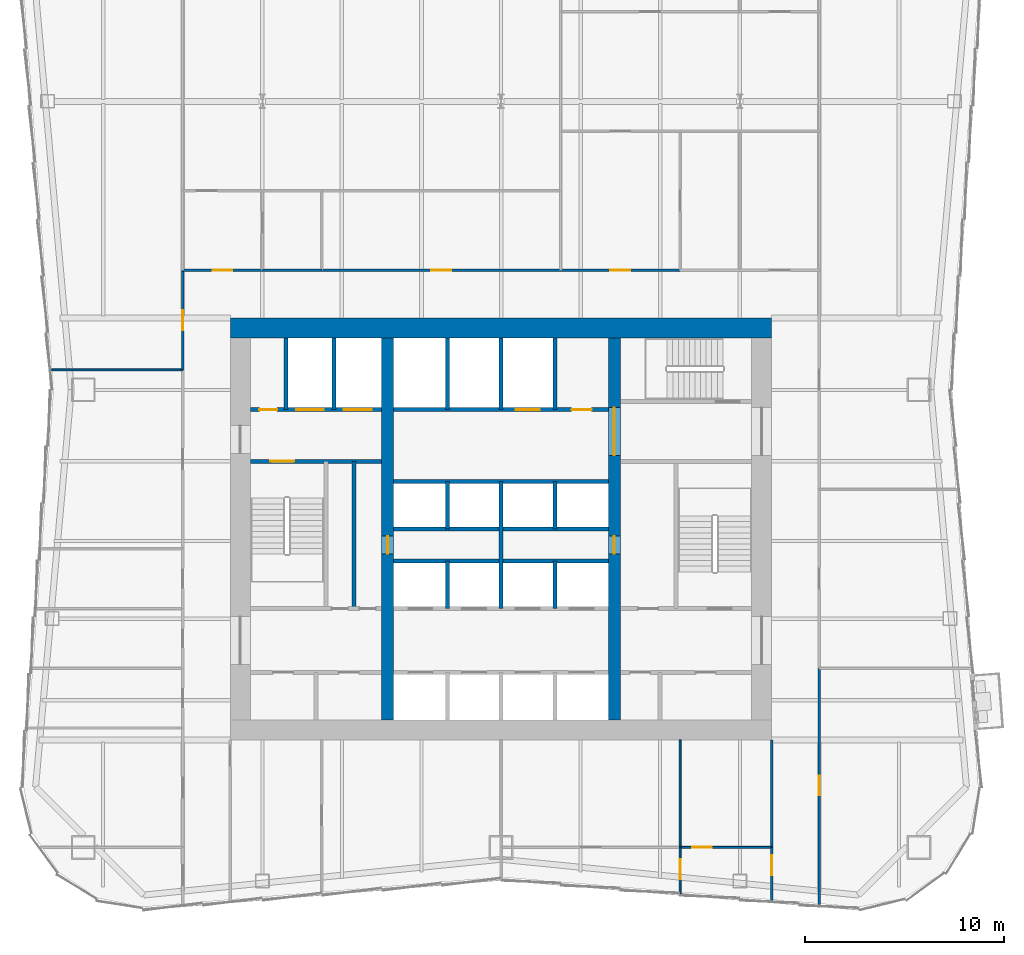
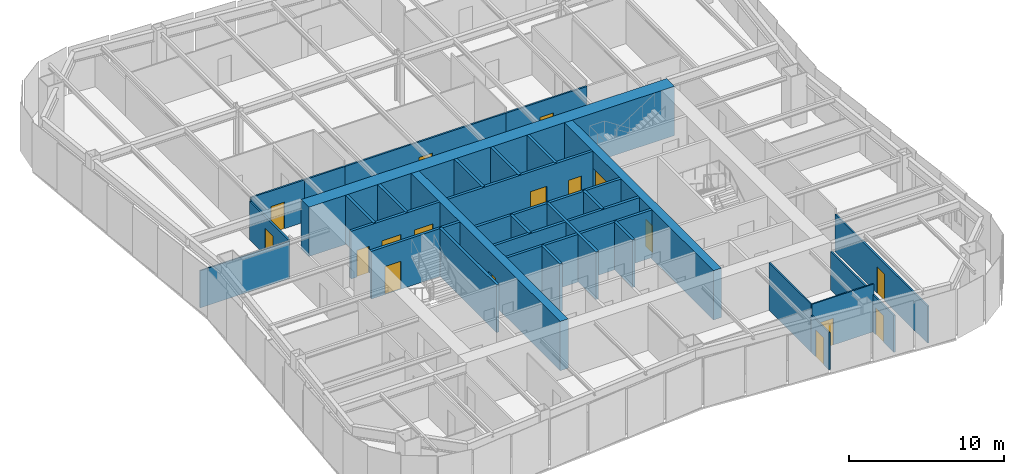
# One storey, part 5 of 9: 32 walls, 17 doors, 17 openings.
"""IFC4 building model written with IfcOpenShell, lengths in metres."""

from ifc_helpers import new_model, si_unit, direction, frame, frame_2d, origin, place, context, subcontext, project, spatial, rectangle, extrude, material, layer, layer_set, type_object, element, fill, save


model = new_model("IFC4")

# Units and contexts
model_context = context("Model", 3, precision=1e-05, world=origin(), true_north=direction((0.0, 1.0)))
body_context = subcontext(model_context, "Body", "Model", "MODEL_VIEW")
ifc_project = project(units=[si_unit("LENGTHUNIT", "METRE"), si_unit("AREAUNIT", "SQUARE_METRE"), si_unit("VOLUMEUNIT", "CUBIC_METRE"), si_unit("PLANEANGLEUNIT", "RADIAN"), si_unit("MASSUNIT", "GRAM", prefix="KILO")], contexts=[model_context])

# Site, building, storey
site_placement = place(None, origin())
site = spatial("IfcSite", under=ifc_project, at=site_placement, CompositionType="ELEMENT")
building_placement = place(site_placement, origin())
building = spatial("IfcBuilding", under=site, at=building_placement, Name="Verdant Reach Tower", CompositionType="ELEMENT")
storey_placement = place(building_placement, frame((0.0, 0.0, 166.0)))
storey = spatial("IfcBuildingStorey", under=building, at=storey_placement, Name="L38", CompositionType="ELEMENT", Elevation=166.0)

# Walls
ifc_material_1 = material(Name="Gypsum board on steel studs", Category="steel")
ifc_layer_1 = layer(ifc_material_1, 0.199951171875)
ifc_layer_set_1 = layer_set([ifc_layer_1], Name="CO-WALL-ROOM")
wall_type_1 = type_object("IfcWallType", Name="CO-WALL-ROOM", PredefinedType="PARTITIONING", material=ifc_layer_set_1)
wall_1_placement = place(storey_placement, frame((-7.39990234375, 24.0, 0.0), z_axis=(0.0, 0.0, 1.0), x_axis=(0.0, 1.0, 0.0)))
element("IfcWall", 1, at=wall_1_placement, inside=storey, type_object=wall_type_1, Name="Core partition, L38", PredefinedType="PARTITIONING", context=body_context, shape_type="SweptSolid", body=[
    extrude(rectangle(XDim=7.39990234375, YDim=0.199951171875, at=frame_2d((3.699951171875, 0.0))), origin(), (0.0, 0.0, 1.0), 3.75),
])
ifc_material_2 = material(Name="Concrete C40/50", Category="concrete")
ifc_layer_2 = layer(ifc_material_2, 0.199951171875)
ifc_layer_set_2 = layer_set([ifc_layer_2], Name="CO-WALL-SHAFT")
wall_type_2 = type_object("IfcWallType", Name="CO-WALL-SHAFT", PredefinedType="PARTITIONING", material=ifc_layer_set_2)
for number, where, z_axis, x_axis, name in (
    (2, (-5.39990234375, 26.39990234375, 0.0), (0.0, 0.0, 1.0), (1.0, 0.0, 0.0), "Lift shaft wall, L38"),
    (3, (-5.39990234375, 28.0, 0.0), (0.0, 0.0, 1.0), (1.0, 0.0, 0.0), "Lift shaft wall, L38"),
    (4, (-5.39990234375, 30.39990234375, 0.0), (0.0, 0.0, 1.0), (1.0, 0.0, 0.0), "Lift shaft wall, L38"),
):
    element("IfcWall", number, at=place(storey_placement, frame(where, z_axis=z_axis, x_axis=x_axis)), inside=storey, type_object=wall_type_2, Name=name, PredefinedType="PARTITIONING", context=body_context, shape_type="SweptSolid", body=[
        extrude(rectangle(XDim=10.7998046875, YDim=0.199951171875, at=frame_2d((5.39990234375, 0.0))), origin(), (0.0, 0.0, 1.0), 3.75),
    ])

# Wall, openings, doors
wall_2_placement = place(storey_placement, frame((-12.60009765625, 34.0, 0.0), z_axis=(0.0, 0.0, 1.0), x_axis=(1.0, 0.0, 0.0)))
wall_2 = element("IfcWall", 5, at=wall_2_placement, inside=storey, type_object=wall_type_2, Name="Lift shaft wall, L38", PredefinedType="PARTITIONING", context=body_context, shape_type="SweptSolid", body=[
    extrude(rectangle(XDim=6.60009765625, YDim=0.199951171875, at=frame_2d((3.300048828125, 0.0))), origin(), (0.0, 0.0, 1.0), 3.75),
])
opening_1_placement = place(wall_2_placement, frame((4.699951171875, 0.0, 0.0)))
opening_1 = element("IfcOpeningElement", 6, at=opening_1_placement, cuts=wall_2, Name="Opening LD-F1", PredefinedType="OPENING", context=body_context, shape_type="SweptSolid", body=[
    extrude(rectangle(XDim=1.39990234375, YDim=2.199951171875, at=frame_2d((0.699951171875, 1.10009765625))), frame((0.0, 0.10986328125, 0.0), z_axis=(0.0, -1.0, 0.0), x_axis=(1.0, 0.0, 0.0)), (0.0, 0.0, 1.0), 0.219970703125),
])
opening_2_placement = place(wall_2_placement, frame((2.300048828125, 0.0, 0.0)))
opening_2 = element("IfcOpeningElement", 7, at=opening_2_placement, cuts=wall_2, Name="Opening LD-F2", PredefinedType="OPENING", context=body_context, shape_type="SweptSolid", body=[
    extrude(rectangle(XDim=1.39990234375, YDim=2.199951171875, at=frame_2d((0.699951171875, 1.10009765625))), frame((0.0, 0.10986328125, 0.0), z_axis=(0.0, -1.0, 0.0), x_axis=(1.0, 0.0, 0.0)), (0.0, 0.0, 1.0), 0.219970703125),
])
opening_3_placement = place(wall_2_placement, frame((0.449951171875, 0.0, 0.0)))
opening_3 = element("IfcOpeningElement", 8, at=opening_3_placement, cuts=wall_2, Name="Opening RD", PredefinedType="OPENING", context=body_context, shape_type="SweptSolid", body=[
    extrude(rectangle(XDim=0.89990234375, YDim=2.10009765625, at=frame_2d((0.449951171875, 1.050048828125))), frame((0.0, 0.10986328125, 0.0), z_axis=(0.0, -1.0, 0.0), x_axis=(1.0, 0.0, 0.0)), (0.0, 0.0, 1.0), 0.219970703125),
])
ifc_material_3 = material(Name="Stainless steel", Category="steel")
door_type_1 = type_object("IfcDoorType", Name="CO-DOOR-LANDING-FF", OperationType="SLIDING_TO_LEFT", PredefinedType="DOOR", material=ifc_material_3)
door_1_placement = place(opening_1_placement, origin())
door_1 = element("IfcDoor", 9, at=door_1_placement, inside=storey, type_object=door_type_1, Name="Landing door F1, L38", OperationType="SLIDING_TO_LEFT", OverallHeight=2.199951171875, OverallWidth=1.39990234375, PredefinedType="DOOR", context=body_context, shape_type="SweptSolid", body=[
    extrude(rectangle(XDim=1.39990234375, YDim=2.199951171875, at=frame_2d((0.699951171875, 1.10009765625))), frame((0.0, 0.02490234375, 0.0), z_axis=(0.0, -1.0, 0.0), x_axis=(1.0, 0.0, 0.0)), (0.0, 0.0, 1.0), 0.050048828125),
])
fill(opening_1, door_1)
door_2_placement = place(opening_2_placement, origin())
door_2 = element("IfcDoor", 10, at=door_2_placement, inside=storey, type_object=door_type_1, Name="Landing door F2, L38", OperationType="SLIDING_TO_LEFT", OverallHeight=2.199951171875, OverallWidth=1.39990234375, PredefinedType="DOOR", context=body_context, shape_type="SweptSolid", body=[
    extrude(rectangle(XDim=1.39990234375, YDim=2.199951171875, at=frame_2d((0.699951171875, 1.10009765625))), frame((0.0, 0.02490234375, 0.0), z_axis=(0.0, -1.0, 0.0), x_axis=(1.0, 0.0, 0.0)), (0.0, 0.0, 1.0), 0.050048828125),
])
fill(opening_2, door_2)
ifc_material_4 = material(Name="Steel", Category="steel")
door_type_2 = type_object("IfcDoorType", Name="CO-DOOR-RISER", OperationType="NOTDEFINED", PredefinedType="DOOR", material=ifc_material_4)
door_3_placement = place(opening_3_placement, origin())
door_3 = element("IfcDoor", 11, at=door_3_placement, inside=storey, type_object=door_type_2, Name="Core room door, L38", OperationType="SINGLE_SWING_RIGHT", OverallHeight=2.10009765625, OverallWidth=0.89990234375, PredefinedType="DOOR", context=body_context, shape_type="SweptSolid", body=[
    extrude(rectangle(XDim=0.89990234375, YDim=2.10009765625, at=frame_2d((0.449951171875, 1.050048828125))), frame((0.0, 0.02490234375, 0.0), z_axis=(0.0, -1.0, 0.0), x_axis=(1.0, 0.0, 0.0)), (0.0, 0.0, 1.0), 0.050048828125),
])
fill(opening_3, door_3)

wall_3_placement = place(storey_placement, frame((-5.39990234375, 34.0, 0.0), z_axis=(0.0, 0.0, 1.0), x_axis=(1.0, 0.0, 0.0)))
wall_3 = element("IfcWall", 12, at=wall_3_placement, inside=storey, type_object=wall_type_2, Name="Lift shaft wall, L38", PredefinedType="PARTITIONING", context=body_context, shape_type="SweptSolid", body=[
    extrude(rectangle(XDim=10.7998046875, YDim=0.199951171875, at=frame_2d((5.39990234375, 0.0))), origin(), (0.0, 0.0, 1.0), 3.75),
])
opening_4_placement = place(wall_3_placement, frame((6.14990234375, 0.0, 0.0)))
opening_4 = element("IfcOpeningElement", 13, at=opening_4_placement, cuts=wall_3, Name="Opening LD-SL1", PredefinedType="OPENING", context=body_context, shape_type="SweptSolid", body=[
    extrude(rectangle(XDim=1.199951171875, YDim=2.199951171875, at=frame_2d((0.60009765625, 1.10009765625))), frame((0.0, 0.10986328125, 0.0), z_axis=(0.0, -1.0, 0.0), x_axis=(1.0, 0.0, 0.0)), (0.0, 0.0, 1.0), 0.219970703125),
])
opening_5_placement = place(wall_3_placement, frame((8.949951171875, 0.0, 0.0)))
opening_5 = element("IfcOpeningElement", 14, at=opening_5_placement, cuts=wall_3, Name="Opening CD", PredefinedType="OPENING", context=body_context, shape_type="SweptSolid", body=[
    extrude(rectangle(XDim=1.0, YDim=2.10009765625, at=frame_2d((0.5, 1.050048828125))), frame((0.0, 0.10986328125, 0.0), z_axis=(0.0, -1.0, 0.0), x_axis=(1.0, 0.0, 0.0)), (0.0, 0.0, 1.0), 0.219970703125),
])
door_type_3 = type_object("IfcDoorType", Name="CO-DOOR-LANDING", OperationType="SLIDING_TO_LEFT", PredefinedType="DOOR", material=ifc_material_3)
door_4_placement = place(opening_4_placement, origin())
door_4 = element("IfcDoor", 15, at=door_4_placement, inside=storey, type_object=door_type_3, Name="Landing door SL1, L38", OperationType="SLIDING_TO_LEFT", OverallHeight=2.199951171875, OverallWidth=1.199951171875, PredefinedType="DOOR", context=body_context, shape_type="SweptSolid", body=[
    extrude(rectangle(XDim=1.199951171875, YDim=2.199951171875, at=frame_2d((0.60009765625, 1.10009765625))), frame((0.0, 0.02490234375, 0.0), z_axis=(0.0, -1.0, 0.0), x_axis=(1.0, 0.0, 0.0)), (0.0, 0.0, 1.0), 0.050048828125),
])
fill(opening_4, door_4)
ifc_material_5 = material(Name="Timber", Category="wood")
door_type_4 = type_object("IfcDoorType", Name="CO-DOOR-ROOM", OperationType="NOTDEFINED", PredefinedType="DOOR", material=ifc_material_5)
door_5_placement = place(opening_5_placement, origin())
door_5 = element("IfcDoor", 16, at=door_5_placement, inside=storey, type_object=door_type_4, Name="Core room door, L38", OperationType="SINGLE_SWING_LEFT", OverallHeight=2.10009765625, OverallWidth=1.0, PredefinedType="DOOR", context=body_context, shape_type="SweptSolid", body=[
    extrude(rectangle(XDim=1.0, YDim=2.10009765625, at=frame_2d((0.5, 1.050048828125))), frame((0.0, 0.02490234375, 0.0), z_axis=(0.0, -1.0, 0.0), x_axis=(1.0, 0.0, 0.0)), (0.0, 0.0, 1.0), 0.050048828125),
])
fill(opening_5, door_5)

# Walls
for number, where, z_axis, x_axis, name in (
    (17, (-10.800048828125, 34.0, 0.0), (0.0, 0.0, 1.0), (0.0, 1.0, 0.0), "Lift shaft wall, L38"),
    (18, (-8.39990234375, 34.0, 0.0), (0.0, 0.0, 1.0), (0.0, 1.0, 0.0), "Lift shaft wall, L38"),
):
    element("IfcWall", number, at=place(storey_placement, frame(where, z_axis=z_axis, x_axis=x_axis)), inside=storey, type_object=wall_type_2, Name=name, PredefinedType="PARTITIONING", context=body_context, shape_type="SweptSolid", body=[
        extrude(rectangle(XDim=3.60009765625, YDim=0.199951171875, at=frame_2d((1.800048828125, 0.0))), origin(), (0.0, 0.0, 1.0), 3.75),
    ])
for number, where, z_axis, x_axis, name in (
    (19, (-2.699951171875, 24.0, 0.0), (0.0, 0.0, 1.0), (0.0, 1.0, 0.0), "Lift shaft wall, L38"),
    (20, (-2.699951171875, 28.0, 0.0), (0.0, 0.0, 1.0), (0.0, 1.0, 0.0), "Lift shaft wall, L38"),
):
    element("IfcWall", number, at=place(storey_placement, frame(where, z_axis=z_axis, x_axis=x_axis)), inside=storey, type_object=wall_type_2, Name=name, PredefinedType="PARTITIONING", context=body_context, shape_type="SweptSolid", body=[
        extrude(rectangle(XDim=2.39990234375, YDim=0.199951171875, at=frame_2d((1.199951171875, 0.0))), origin(), (0.0, 0.0, 1.0), 3.75),
    ])
wall_4_placement = place(storey_placement, frame((-2.699951171875, 34.0, 0.0), z_axis=(0.0, 0.0, 1.0), x_axis=(0.0, 1.0, 0.0)))
element("IfcWall", 21, at=wall_4_placement, inside=storey, type_object=wall_type_2, Name="Lift shaft wall, L38", PredefinedType="PARTITIONING", context=body_context, shape_type="SweptSolid", body=[
    extrude(rectangle(XDim=3.60009765625, YDim=0.199951171875, at=frame_2d((1.800048828125, 0.0))), origin(), (0.0, 0.0, 1.0), 3.75),
])
wall_5_placement = place(storey_placement, frame((0.0, 24.0, 0.0), z_axis=(0.0, 0.0, 1.0), x_axis=(0.0, 1.0, 0.0)))
element("IfcWall", 22, at=wall_5_placement, inside=storey, type_object=wall_type_2, Name="Lift shaft wall, L38", PredefinedType="PARTITIONING", context=body_context, shape_type="SweptSolid", body=[
    extrude(rectangle(XDim=6.39990234375, YDim=0.199951171875, at=frame_2d((3.199951171875, 0.0))), origin(), (0.0, 0.0, 1.0), 3.75),
])
wall_6_placement = place(storey_placement, frame((0.0, 34.0, 0.0), z_axis=(0.0, 0.0, 1.0), x_axis=(0.0, 1.0, 0.0)))
element("IfcWall", 23, at=wall_6_placement, inside=storey, type_object=wall_type_2, Name="Lift shaft wall, L38", PredefinedType="PARTITIONING", context=body_context, shape_type="SweptSolid", body=[
    extrude(rectangle(XDim=3.60009765625, YDim=0.199951171875, at=frame_2d((1.800048828125, 0.0))), origin(), (0.0, 0.0, 1.0), 3.75),
])
for number, where, z_axis, x_axis, name in (
    (24, (2.699951171875, 24.0, 0.0), (0.0, 0.0, 1.0), (0.0, 1.0, 0.0), "Lift shaft wall, L38"),
    (25, (2.699951171875, 28.0, 0.0), (0.0, 0.0, 1.0), (0.0, 1.0, 0.0), "Lift shaft wall, L38"),
):
    element("IfcWall", number, at=place(storey_placement, frame(where, z_axis=z_axis, x_axis=x_axis)), inside=storey, type_object=wall_type_2, Name=name, PredefinedType="PARTITIONING", context=body_context, shape_type="SweptSolid", body=[
        extrude(rectangle(XDim=2.39990234375, YDim=0.199951171875, at=frame_2d((1.199951171875, 0.0))), origin(), (0.0, 0.0, 1.0), 3.75),
    ])
wall_7_placement = place(storey_placement, frame((2.699951171875, 34.0, 0.0), z_axis=(0.0, 0.0, 1.0), x_axis=(0.0, 1.0, 0.0)))
element("IfcWall", 26, at=wall_7_placement, inside=storey, type_object=wall_type_2, Name="Lift shaft wall, L38", PredefinedType="PARTITIONING", context=body_context, shape_type="SweptSolid", body=[
    extrude(rectangle(XDim=3.60009765625, YDim=0.199951171875, at=frame_2d((1.800048828125, 0.0))), origin(), (0.0, 0.0, 1.0), 3.75),
])

# Wall, opening, door
ifc_layer_3 = layer(ifc_material_2, 0.199951171875)
ifc_layer_set_3 = layer_set([ifc_layer_3], Name="CO-WALL-STAIR")
wall_type_3 = type_object("IfcWallType", Name="CO-WALL-STAIR", PredefinedType="PARTITIONING", material=ifc_layer_set_3)
wall_8_placement = place(storey_placement, frame((-12.60009765625, 31.39990234375, 0.0), z_axis=(0.0, 0.0, 1.0), x_axis=(1.0, 0.0, 0.0)))
wall_8 = element("IfcWall", 27, at=wall_8_placement, inside=storey, type_object=wall_type_3, Name="Stair enclosure wall, L38", PredefinedType="PARTITIONING", context=body_context, shape_type="SweptSolid", body=[
    extrude(rectangle(XDim=6.60009765625, YDim=0.199951171875, at=frame_2d((3.300048828125, 0.0))), origin(), (0.0, 0.0, 1.0), 3.75),
])
opening_6_placement = place(wall_8_placement, frame((1.0, 0.0, 0.0)))
opening_6 = element("IfcOpeningElement", 28, at=opening_6_placement, cuts=wall_8, Name="Opening SD", PredefinedType="OPENING", context=body_context, shape_type="SweptSolid", body=[
    extrude(rectangle(XDim=1.199951171875, YDim=2.199951171875, at=frame_2d((0.60009765625, 1.10009765625))), frame((0.0, 0.10986328125, 0.0), z_axis=(0.0, -1.0, 0.0), x_axis=(1.0, 0.0, 0.0)), (0.0, 0.0, 1.0), 0.219970703125),
])
door_type_5 = type_object("IfcDoorType", Name="CO-DOOR-STAIR", OperationType="NOTDEFINED", PredefinedType="DOOR", material=ifc_material_4)
door_6_placement = place(opening_6_placement, origin())
door_6 = element("IfcDoor", 29, at=door_6_placement, inside=storey, type_object=door_type_5, Name="Stair door, L38", OperationType="SINGLE_SWING_RIGHT", OverallHeight=2.199951171875, OverallWidth=1.199951171875, PredefinedType="DOOR", context=body_context, shape_type="SweptSolid", body=[
    extrude(rectangle(XDim=1.199951171875, YDim=2.199951171875, at=frame_2d((0.60009765625, 1.10009765625))), frame((0.0, 0.02490234375, 0.0), z_axis=(0.0, -1.0, 0.0), x_axis=(1.0, 0.0, 0.0)), (0.0, 0.0, 1.0), 0.050048828125),
])
fill(opening_6, door_6)

# Wall
ifc_layer_4 = layer(ifc_material_1, 0.10009765625)
ifc_layer_set_4 = layer_set([ifc_layer_4], Name="FL-W1 Partition 100")
wall_type_4 = type_object("IfcWallType", Name="FL-W1 Partition 100", PredefinedType="PARTITIONING", material=ifc_layer_set_4)
wall_9_placement = place(storey_placement, frame((-16.0, 36.0, 0.0), z_axis=(0.0, 0.0, 1.0), x_axis=(-1.0, 0.0, 0.0)))
element("IfcWall", 30, at=wall_9_placement, inside=storey, type_object=wall_type_4, Name="Partition 38.25", PredefinedType="PARTITIONING", context=body_context, shape_type="SweptSolid", body=[
    extrude(rectangle(XDim=6.655029296875, YDim=0.10009765625, at=frame_2d((3.32763671875, 0.0))), origin(), (0.0, 0.0, 1.0), 2.919921875),
])

# Wall, opening, door
wall_10_placement = place(storey_placement, frame((9.0, 12.0, 0.0), z_axis=(0.0, 0.0, 1.0), x_axis=(1.0, 0.0, 0.0)))
wall_10 = element("IfcWall", 31, at=wall_10_placement, inside=storey, type_object=wall_type_4, Name="Partition 38.37", PredefinedType="PARTITIONING", context=body_context, shape_type="SweptSolid", body=[
    extrude(rectangle(XDim=4.60009765625, YDim=0.10009765625, at=frame_2d((2.300048828125, 0.0))), origin(), (0.0, 0.0, 1.0), 3.75),
])
opening_7_placement = place(wall_10_placement, frame((0.60009765625, 0.0, 0.0)))
opening_7 = element("IfcOpeningElement", 32, at=opening_7_placement, cuts=wall_10, Name="Opening D3", PredefinedType="OPENING", context=body_context, shape_type="SweptSolid", body=[
    extrude(rectangle(XDim=1.0, YDim=2.10009765625, at=frame_2d((0.5, 1.050048828125))), frame((0.0, 0.06005859375, 0.0), z_axis=(0.0, -1.0, 0.0), x_axis=(1.0, 0.0, 0.0)), (0.0, 0.0, 1.0), 0.1201171875),
])
ifc_material_6 = material(Name="Painted timber door leaf", Category="wood")
door_type_6 = type_object("IfcDoorType", Name="FL-D3 Door 1000x2100", OperationType="NOTDEFINED", PredefinedType="DOOR", material=ifc_material_6)
door_7_placement = place(opening_7_placement, origin())
door_7 = element("IfcDoor", 33, at=door_7_placement, inside=storey, type_object=door_type_6, Name="Door 38-018", OperationType="SINGLE_SWING_LEFT", OverallHeight=2.10009765625, OverallWidth=1.0, PredefinedType="DOOR", context=body_context, shape_type="SweptSolid", body=[
    extrude(rectangle(XDim=1.0, YDim=2.10009765625, at=frame_2d((0.5, 1.050048828125))), frame((0.0, 0.02490234375, 0.0), z_axis=(0.0, -1.0, 0.0), x_axis=(1.0, 0.0, 0.0)), (0.0, 0.0, 1.0), 0.050048828125),
])
fill(opening_7, door_7)

wall_11_placement = place(storey_placement, frame((9.0, 9.669921875, 0.0), z_axis=(0.0, 0.0, 1.0), x_axis=(0.0, 1.0, 0.0)))
wall_11 = element("IfcWall", 34, at=wall_11_placement, inside=storey, type_object=wall_type_4, Name="Partition 38.38", PredefinedType="PARTITIONING", context=body_context, shape_type="SweptSolid", body=[
    extrude(rectangle(XDim=2.330078125, YDim=0.10009765625, at=frame_2d((1.1650390625, 0.0))), origin(), (0.0, 0.0, 1.0), 2.919921875),
])
opening_8_placement = place(wall_11_placement, frame((0.72998046875, 0.0, 0.0)))
opening_8 = element("IfcOpeningElement", 35, at=opening_8_placement, cuts=wall_11, Name="Opening D3", PredefinedType="OPENING", context=body_context, shape_type="SweptSolid", body=[
    extrude(rectangle(XDim=1.0, YDim=2.10009765625, at=frame_2d((0.5, 1.050048828125))), frame((0.0, 0.06005859375, 0.0), z_axis=(0.0, -1.0, 0.0), x_axis=(1.0, 0.0, 0.0)), (0.0, 0.0, 1.0), 0.1201171875),
])
door_8_placement = place(opening_8_placement, origin())
door_8 = element("IfcDoor", 36, at=door_8_placement, inside=storey, type_object=door_type_6, Name="Door 38-019", OperationType="SINGLE_SWING_RIGHT", OverallHeight=2.10009765625, OverallWidth=1.0, PredefinedType="DOOR", context=body_context, shape_type="SweptSolid", body=[
    extrude(rectangle(XDim=1.0, YDim=2.10009765625, at=frame_2d((0.5, 1.050048828125))), frame((0.0, 0.02490234375, 0.0), z_axis=(0.0, -1.0, 0.0), x_axis=(1.0, 0.0, 0.0)), (0.0, 0.0, 1.0), 0.050048828125),
])
fill(opening_8, door_8)

# Wall
wall_12_placement = place(storey_placement, frame((9.0, 17.39990234375, 0.0), z_axis=(0.0, 0.0, 1.0), x_axis=(0.0, -1.0, 0.0)))
element("IfcWall", 37, at=wall_12_placement, inside=storey, type_object=wall_type_4, Name="Partition 38.39", PredefinedType="PARTITIONING", context=body_context, shape_type="SweptSolid", body=[
    extrude(rectangle(XDim=5.39990234375, YDim=0.10009765625, at=frame_2d((2.699951171875, 0.0))), origin(), (0.0, 0.0, 1.0), 3.75),
])

# Wall, opening, door
ifc_material_7 = material(Name="Gypsum board on steel studs, fire rated", Category="steel")
ifc_layer_5 = layer(ifc_material_7, 0.125)
ifc_layer_set_5 = layer_set([ifc_layer_5], Name="FL-W2 Corridor wall 125")
wall_type_5 = type_object("IfcWallType", Name="FL-W2 Corridor wall 125", PredefinedType="PARTITIONING", material=ifc_layer_set_5)
wall_13_placement = place(storey_placement, frame((-16.0, 36.0, 0.0), z_axis=(0.0, 0.0, 1.0), x_axis=(0.0, 1.0, 0.0)))
wall_13 = element("IfcWall", 38, at=wall_13_placement, inside=storey, type_object=wall_type_5, Name="Partition 38.07", PredefinedType="PARTITIONING", context=body_context, shape_type="SweptSolid", body=[
    extrude(rectangle(XDim=5.00390625, YDim=0.125, at=frame_2d((2.501953125, 0.0))), origin(), (0.0, 0.0, 1.0), 3.02001953125),
])
opening_9_placement = place(wall_13_placement, frame((2.001953125, 0.0, 0.0)))
opening_9 = element("IfcOpeningElement", 39, at=opening_9_placement, cuts=wall_13, Name="Opening D2", PredefinedType="OPENING", context=body_context, shape_type="SweptSolid", body=[
    extrude(rectangle(XDim=1.0, YDim=2.10009765625, at=frame_2d((0.5, 1.050048828125))), frame((0.0, 0.072509765625, 0.0), z_axis=(0.0, -1.0, 0.0), x_axis=(1.0, 0.0, 0.0)), (0.0, 0.0, 1.0), 0.14501953125),
])
ifc_material_8 = material(Name="Timber door leaf, fire rated", Category="wood")
door_type_7 = type_object("IfcDoorType", Name="FL-D2 Entrance door 1000x2100 FD30", OperationType="NOTDEFINED", PredefinedType="DOOR", material=ifc_material_8)
door_9_placement = place(opening_9_placement, origin())
door_9 = element("IfcDoor", 40, at=door_9_placement, inside=storey, type_object=door_type_7, Name="Door 38-007", OperationType="SINGLE_SWING_LEFT", OverallHeight=2.10009765625, OverallWidth=1.0, PredefinedType="DOOR", context=body_context, shape_type="SweptSolid", body=[
    extrude(rectangle(XDim=1.0, YDim=2.10009765625, at=frame_2d((0.5, 1.050048828125))), frame((0.0, 0.02490234375, 0.0), z_axis=(0.0, -1.0, 0.0), x_axis=(1.0, 0.0, 0.0)), (0.0, 0.0, 1.0), 0.050048828125),
])
fill(opening_9, door_9)

wall_14_placement = place(storey_placement, frame((16.0, 21.0, 0.0), z_axis=(0.0, 0.0, 1.0), x_axis=(0.0, -1.0, 0.0)))
wall_14 = element("IfcWall", 41, at=wall_14_placement, inside=storey, type_object=wall_type_5, Name="Partition 38.08", PredefinedType="PARTITIONING", context=body_context, shape_type="SweptSolid", body=[
    extrude(rectangle(XDim=11.913330078125, YDim=0.125, at=frame_2d((5.95654296875, 0.0))), origin(), (0.0, 0.0, 1.0), 2.919921875),
])
opening_10_placement = place(wall_14_placement, frame((5.3916015625, 0.0, 0.0)))
opening_10 = element("IfcOpeningElement", 42, at=opening_10_placement, cuts=wall_14, Name="Opening D2", PredefinedType="OPENING", context=body_context, shape_type="SweptSolid", body=[
    extrude(rectangle(XDim=1.0, YDim=2.10009765625, at=frame_2d((0.5, 1.050048828125))), frame((0.0, 0.072509765625, 0.0), z_axis=(0.0, -1.0, 0.0), x_axis=(1.0, 0.0, 0.0)), (0.0, 0.0, 1.0), 0.14501953125),
])
door_10_placement = place(opening_10_placement, origin())
door_10 = element("IfcDoor", 43, at=door_10_placement, inside=storey, type_object=door_type_7, Name="Door 38-008", OperationType="SINGLE_SWING_LEFT", OverallHeight=2.10009765625, OverallWidth=1.0, PredefinedType="DOOR", context=body_context, shape_type="SweptSolid", body=[
    extrude(rectangle(XDim=1.0, YDim=2.10009765625, at=frame_2d((0.5, 1.050048828125))), frame((0.0, 0.02490234375, 0.0), z_axis=(0.0, -1.0, 0.0), x_axis=(1.0, 0.0, 0.0)), (0.0, 0.0, 1.0), 0.050048828125),
])
fill(opening_10, door_10)

wall_15_placement = place(storey_placement, frame((13.60009765625, 9.28662109375, 0.0), z_axis=(0.0, 0.0, 1.0), x_axis=(0.0, 1.0, 0.0)))
wall_15 = element("IfcWall", 44, at=wall_15_placement, inside=storey, type_object=wall_type_5, Name="Partition 38.12", PredefinedType="PARTITIONING", context=body_context, shape_type="SweptSolid", body=[
    extrude(rectangle(XDim=2.71337890625, YDim=0.125, at=frame_2d((1.356689453125, 0.0))), origin(), (0.0, 0.0, 1.0), 2.919921875),
])
opening_11_placement = place(wall_15_placement, frame((1.32177734375, 0.0, 0.0)))
opening_11 = element("IfcOpeningElement", 45, at=opening_11_placement, cuts=wall_15, Name="Opening D2", PredefinedType="OPENING", context=body_context, shape_type="SweptSolid", body=[
    extrude(rectangle(XDim=1.0, YDim=2.10009765625, at=frame_2d((0.5, 1.050048828125))), frame((0.0, 0.072509765625, 0.0), z_axis=(0.0, -1.0, 0.0), x_axis=(1.0, 0.0, 0.0)), (0.0, 0.0, 1.0), 0.14501953125),
])
door_11_placement = place(opening_11_placement, origin())
door_11 = element("IfcDoor", 46, at=door_11_placement, inside=storey, type_object=door_type_7, Name="Door 38-012", OperationType="SINGLE_SWING_RIGHT", OverallHeight=2.10009765625, OverallWidth=1.0, PredefinedType="DOOR", context=body_context, shape_type="SweptSolid", body=[
    extrude(rectangle(XDim=1.0, YDim=2.10009765625, at=frame_2d((0.5, 1.050048828125))), frame((0.0, 0.02490234375, 0.0), z_axis=(0.0, -1.0, 0.0), x_axis=(1.0, 0.0, 0.0)), (0.0, 0.0, 1.0), 0.050048828125),
])
fill(opening_11, door_11)

# Wall
wall_16_placement = place(storey_placement, frame((13.60009765625, 12.0, 0.0), z_axis=(0.0, 0.0, 1.0), x_axis=(0.0, 1.0, 0.0)))
element("IfcWall", 47, at=wall_16_placement, inside=storey, type_object=wall_type_5, Name="Partition 38.13", PredefinedType="PARTITIONING", context=body_context, shape_type="SweptSolid", body=[
    extrude(rectangle(XDim=5.39990234375, YDim=0.125, at=frame_2d((2.699951171875, 0.0))), origin(), (0.0, 0.0, 1.0), 3.02001953125),
])

# Wall, opening, door
wall_17_placement = place(storey_placement, frame((-16.0, 41.0, 0.0), z_axis=(0.0, 0.0, 1.0), x_axis=(1.0, 0.0, 0.0)))
wall_17 = element("IfcWall", 48, at=wall_17_placement, inside=storey, type_object=wall_type_5, Name="Partition 38.14", PredefinedType="PARTITIONING", context=body_context, shape_type="SweptSolid", body=[
    extrude(rectangle(XDim=4.0, YDim=0.125, at=frame_2d((2.0, 0.0))), origin(), (0.0, 0.0, 1.0), 3.320068359375),
])
opening_12_placement = place(wall_17_placement, frame((1.5, 0.0, 0.0)))
opening_12 = element("IfcOpeningElement", 49, at=opening_12_placement, cuts=wall_17, Name="Opening D2", PredefinedType="OPENING", context=body_context, shape_type="SweptSolid", body=[
    extrude(rectangle(XDim=1.0, YDim=2.10009765625, at=frame_2d((0.5, 1.050048828125))), frame((0.0, 0.072509765625, 0.0), z_axis=(0.0, -1.0, 0.0), x_axis=(1.0, 0.0, 0.0)), (0.0, 0.0, 1.0), 0.14501953125),
])
door_12_placement = place(opening_12_placement, origin())
door_12 = element("IfcDoor", 50, at=door_12_placement, inside=storey, type_object=door_type_7, Name="Door 38-013", OperationType="SINGLE_SWING_LEFT", OverallHeight=2.10009765625, OverallWidth=1.0, PredefinedType="DOOR", context=body_context, shape_type="SweptSolid", body=[
    extrude(rectangle(XDim=1.0, YDim=2.10009765625, at=frame_2d((0.5, 1.050048828125))), frame((0.0, 0.02490234375, 0.0), z_axis=(0.0, -1.0, 0.0), x_axis=(1.0, 0.0, 0.0)), (0.0, 0.0, 1.0), 0.050048828125),
])
fill(opening_12, door_12)

# Wall
wall_18_placement = place(storey_placement, frame((-9.0, 41.0, 0.0), z_axis=(0.0, 0.0, 1.0), x_axis=(-1.0, 0.0, 0.0)))
element("IfcWall", 51, at=wall_18_placement, inside=storey, type_object=wall_type_5, Name="Partition 38.15", PredefinedType="PARTITIONING", context=body_context, shape_type="SweptSolid", body=[
    extrude(rectangle(XDim=3.0, YDim=0.125, at=frame_2d((1.5, 0.0))), origin(), (0.0, 0.0, 1.0), 3.320068359375),
])

# Wall, opening, door
wall_19_placement = place(storey_placement, frame((-9.0, 41.0, 0.0), z_axis=(0.0, 0.0, 1.0), x_axis=(1.0, 0.0, 0.0)))
wall_19 = element("IfcWall", 52, at=wall_19_placement, inside=storey, type_object=wall_type_5, Name="Partition 38.16", PredefinedType="PARTITIONING", context=body_context, shape_type="SweptSolid", body=[
    extrude(rectangle(XDim=12.0, YDim=0.125, at=frame_2d((6.0, 0.0))), origin(), (0.0, 0.0, 1.0), 3.320068359375),
])
opening_13_placement = place(wall_19_placement, frame((5.5, 0.0, 0.0)))
opening_13 = element("IfcOpeningElement", 53, at=opening_13_placement, cuts=wall_19, Name="Opening D2", PredefinedType="OPENING", context=body_context, shape_type="SweptSolid", body=[
    extrude(rectangle(XDim=1.0, YDim=2.10009765625, at=frame_2d((0.5, 1.050048828125))), frame((0.0, 0.072509765625, 0.0), z_axis=(0.0, -1.0, 0.0), x_axis=(1.0, 0.0, 0.0)), (0.0, 0.0, 1.0), 0.14501953125),
])
door_13_placement = place(opening_13_placement, origin())
door_13 = element("IfcDoor", 54, at=door_13_placement, inside=storey, type_object=door_type_7, Name="Door 38-014", OperationType="SINGLE_SWING_RIGHT", OverallHeight=2.10009765625, OverallWidth=1.0, PredefinedType="DOOR", context=body_context, shape_type="SweptSolid", body=[
    extrude(rectangle(XDim=1.0, YDim=2.10009765625, at=frame_2d((0.5, 1.050048828125))), frame((0.0, 0.02490234375, 0.0), z_axis=(0.0, -1.0, 0.0), x_axis=(1.0, 0.0, 0.0)), (0.0, 0.0, 1.0), 0.050048828125),
])
fill(opening_13, door_13)

wall_20_placement = place(storey_placement, frame((3.0, 41.0, 0.0), z_axis=(0.0, 0.0, 1.0), x_axis=(1.0, 0.0, 0.0)))
wall_20 = element("IfcWall", 55, at=wall_20_placement, inside=storey, type_object=wall_type_5, Name="Partition 38.17", PredefinedType="PARTITIONING", context=body_context, shape_type="SweptSolid", body=[
    extrude(rectangle(XDim=6.0, YDim=0.125, at=frame_2d((3.0, 0.0))), origin(), (0.0, 0.0, 1.0), 3.320068359375),
])
opening_14_placement = place(wall_20_placement, frame((2.5, 0.0, 0.0)))
opening_14 = element("IfcOpeningElement", 56, at=opening_14_placement, cuts=wall_20, Name="Opening D2", PredefinedType="OPENING", context=body_context, shape_type="SweptSolid", body=[
    extrude(rectangle(XDim=1.0, YDim=2.10009765625, at=frame_2d((0.5, 1.050048828125))), frame((0.0, 0.072509765625, 0.0), z_axis=(0.0, -1.0, 0.0), x_axis=(1.0, 0.0, 0.0)), (0.0, 0.0, 1.0), 0.14501953125),
])
door_14_placement = place(opening_14_placement, origin())
door_14 = element("IfcDoor", 57, at=door_14_placement, inside=storey, type_object=door_type_7, Name="Door 38-015", OperationType="SINGLE_SWING_LEFT", OverallHeight=2.10009765625, OverallWidth=1.0, PredefinedType="DOOR", context=body_context, shape_type="SweptSolid", body=[
    extrude(rectangle(XDim=1.0, YDim=2.10009765625, at=frame_2d((0.5, 1.050048828125))), frame((0.0, 0.02490234375, 0.0), z_axis=(0.0, -1.0, 0.0), x_axis=(1.0, 0.0, 0.0)), (0.0, 0.0, 1.0), 0.050048828125),
])
fill(opening_14, door_14)

# Wall
ifc_material_9 = material(Name="Concrete C70/85", Category="concrete")
ifc_layer_6 = layer(ifc_material_9, 1.0)
ifc_layer_set_6 = layer_set([ifc_layer_6], Name="ST-CORE-WALL-1000")
wall_type_6 = type_object("IfcWallType", Name="ST-CORE-WALL-1000", PredefinedType="SHEAR", material=ifc_layer_set_6)
wall_21_placement = place(storey_placement, frame((-13.60009765625, 38.10009765625, -0.1298828125), z_axis=(0.0, 0.0, 1.0), x_axis=(1.0, 0.0, 0.0)))
element("IfcWall", 58, at=wall_21_placement, inside=storey, type_object=wall_type_6, Name="Core wall N, L38", PredefinedType="SHEAR", context=body_context, shape_type="SweptSolid", body=[
    extrude(rectangle(XDim=27.2001953125, YDim=1.0, at=frame_2d((13.60009765625, 0.0))), origin(), (0.0, 0.0, 1.0), 3.8798828125),
])

# Wall, opening, door
ifc_layer_7 = layer(ifc_material_9, 0.60009765625)
ifc_layer_set_7 = layer_set([ifc_layer_7], Name="ST-CORE-WALL-600")
wall_type_7 = type_object("IfcWallType", Name="ST-CORE-WALL-600", PredefinedType="SHEAR", material=ifc_layer_set_7)
wall_22_placement = place(storey_placement, frame((-5.699951171875, 18.39990234375, -0.1298828125), z_axis=(0.0, 0.0, 1.0), x_axis=(0.0, 1.0, 0.0)))
wall_22 = element("IfcWall", 59, at=wall_22_placement, inside=storey, type_object=wall_type_7, Name="Core wall XW, L38", PredefinedType="SHEAR", context=body_context, shape_type="SweptSolid", body=[
    extrude(rectangle(XDim=19.2001953125, YDim=0.60009765625, at=frame_2d((9.60009765625, 0.0))), origin(), (0.0, 0.0, 1.0), 3.8798828125),
])
opening_15_placement = place(wall_22_placement, frame((8.35009765625, 0.0, 0.1298828125)))
opening_15 = element("IfcOpeningElement", 60, at=opening_15_placement, cuts=wall_22, Name="Opening RD", PredefinedType="OPENING", context=body_context, shape_type="SweptSolid", body=[
    extrude(rectangle(XDim=0.89990234375, YDim=2.10009765625, at=frame_2d((0.449951171875, 1.050048828125))), frame((0.0, 0.31005859375, 0.0), z_axis=(0.0, -1.0, 0.0), x_axis=(1.0, 0.0, 0.0)), (0.0, 0.0, 1.0), 0.6201171875),
])
door_15_placement = place(opening_15_placement, origin())
door_15 = element("IfcDoor", 61, at=door_15_placement, inside=storey, type_object=door_type_2, Name="Riser door, L38", OperationType="SINGLE_SWING_LEFT", OverallHeight=2.10009765625, OverallWidth=0.89990234375, PredefinedType="DOOR", context=body_context, shape_type="SweptSolid", body=[
    extrude(rectangle(XDim=0.89990234375, YDim=2.10009765625, at=frame_2d((0.449951171875, 1.050048828125))), frame((0.0, 0.02490234375, 0.0), z_axis=(0.0, -1.0, 0.0), x_axis=(1.0, 0.0, 0.0)), (0.0, 0.0, 1.0), 0.050048828125),
])
fill(opening_15, door_15)

# Wall, openings, doors
wall_23_placement = place(storey_placement, frame((5.699951171875, 18.39990234375, -0.1298828125), z_axis=(0.0, 0.0, 1.0), x_axis=(0.0, 1.0, 0.0)))
wall_23 = element("IfcWall", 62, at=wall_23_placement, inside=storey, type_object=wall_type_7, Name="Core wall XE, L38", PredefinedType="SHEAR", context=body_context, shape_type="SweptSolid", body=[
    extrude(rectangle(XDim=19.2001953125, YDim=0.60009765625, at=frame_2d((9.60009765625, 0.0))), origin(), (0.0, 0.0, 1.0), 3.8798828125),
])
opening_16_placement = place(wall_23_placement, frame((8.35009765625, 0.0, 0.1298828125)))
opening_16 = element("IfcOpeningElement", 63, at=opening_16_placement, cuts=wall_23, Name="Opening RD", PredefinedType="OPENING", context=body_context, shape_type="SweptSolid", body=[
    extrude(rectangle(XDim=0.89990234375, YDim=2.10009765625, at=frame_2d((0.449951171875, 1.050048828125))), frame((0.0, 0.31005859375, 0.0), z_axis=(0.0, -1.0, 0.0), x_axis=(1.0, 0.0, 0.0)), (0.0, 0.0, 1.0), 0.6201171875),
])
opening_17_placement = place(wall_23_placement, frame((13.300048828125, 0.0, 0.1298828125)))
opening_17 = element("IfcOpeningElement", 64, at=opening_17_placement, cuts=wall_23, Name="Opening LB", PredefinedType="OPENING", context=body_context, shape_type="SweptSolid", body=[
    extrude(rectangle(XDim=2.39990234375, YDim=2.39990234375, at=frame_2d((1.199951171875, 1.199951171875))), frame((0.0, 0.31005859375, 0.0), z_axis=(0.0, -1.0, 0.0), x_axis=(1.0, 0.0, 0.0)), (0.0, 0.0, 1.0), 0.6201171875),
])
ifc_material_10 = material(Name="Glass and steel", Category="steel")
door_type_8 = type_object("IfcDoorType", Name="CO-DOOR-LOBBY", OperationType="DOUBLE_DOOR_SINGLE_SWING", PredefinedType="DOOR", material=ifc_material_10)
door_16_placement = place(opening_17_placement, origin())
door_16 = element("IfcDoor", 65, at=door_16_placement, inside=storey, type_object=door_type_8, Name="Core entrance door, L38", OperationType="DOUBLE_DOOR_SINGLE_SWING", OverallHeight=2.39990234375, OverallWidth=2.39990234375, PredefinedType="DOOR", context=body_context, shape_type="SweptSolid", body=[
    extrude(rectangle(XDim=2.39990234375, YDim=2.39990234375, at=frame_2d((1.199951171875, 1.199951171875))), frame((0.0, 0.02490234375, 0.0), z_axis=(0.0, -1.0, 0.0), x_axis=(1.0, 0.0, 0.0)), (0.0, 0.0, 1.0), 0.050048828125),
])
fill(opening_17, door_16)
door_17_placement = place(opening_16_placement, origin())
door_17 = element("IfcDoor", 66, at=door_17_placement, inside=storey, type_object=door_type_2, Name="Riser door, L38", OperationType="SINGLE_SWING_RIGHT", OverallHeight=2.10009765625, OverallWidth=0.89990234375, PredefinedType="DOOR", context=body_context, shape_type="SweptSolid", body=[
    extrude(rectangle(XDim=0.89990234375, YDim=2.10009765625, at=frame_2d((0.449951171875, 1.050048828125))), frame((0.0, 0.02490234375, 0.0), z_axis=(0.0, -1.0, 0.0), x_axis=(1.0, 0.0, 0.0)), (0.0, 0.0, 1.0), 0.050048828125),
])
fill(opening_16, door_17)

save(model, "model.ifc")
